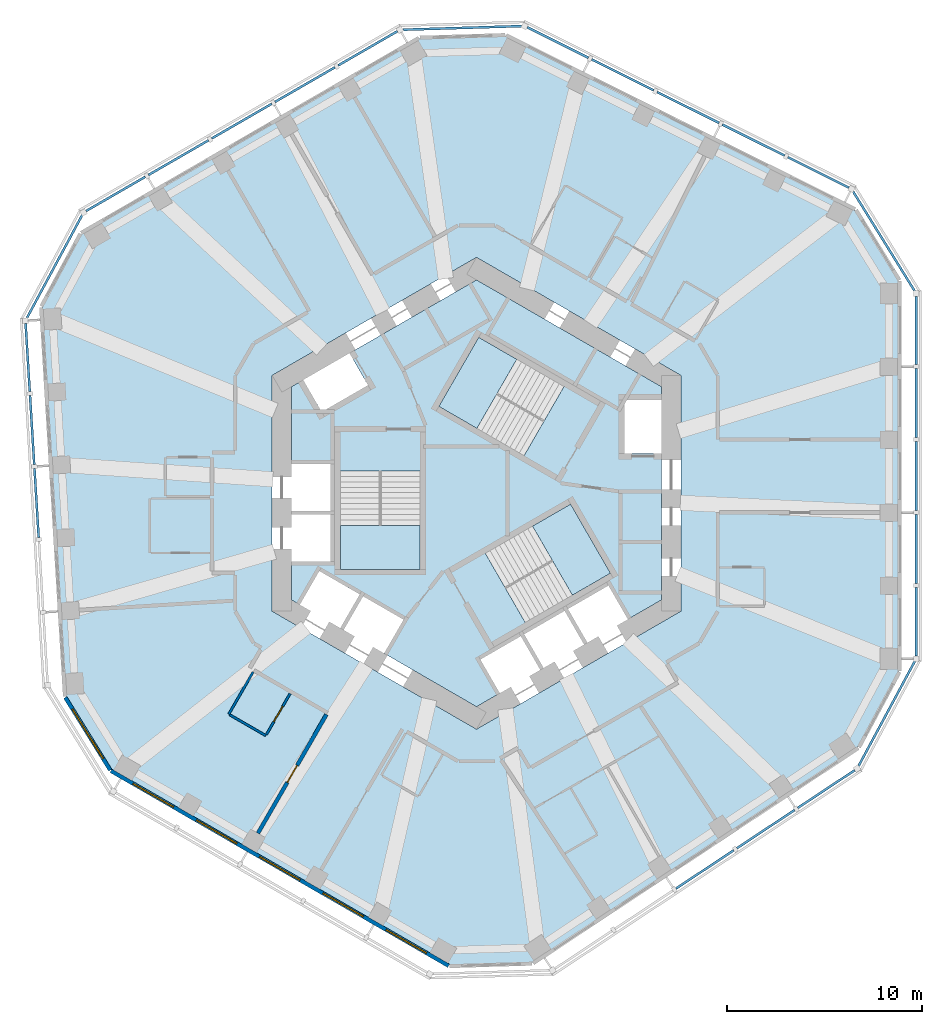
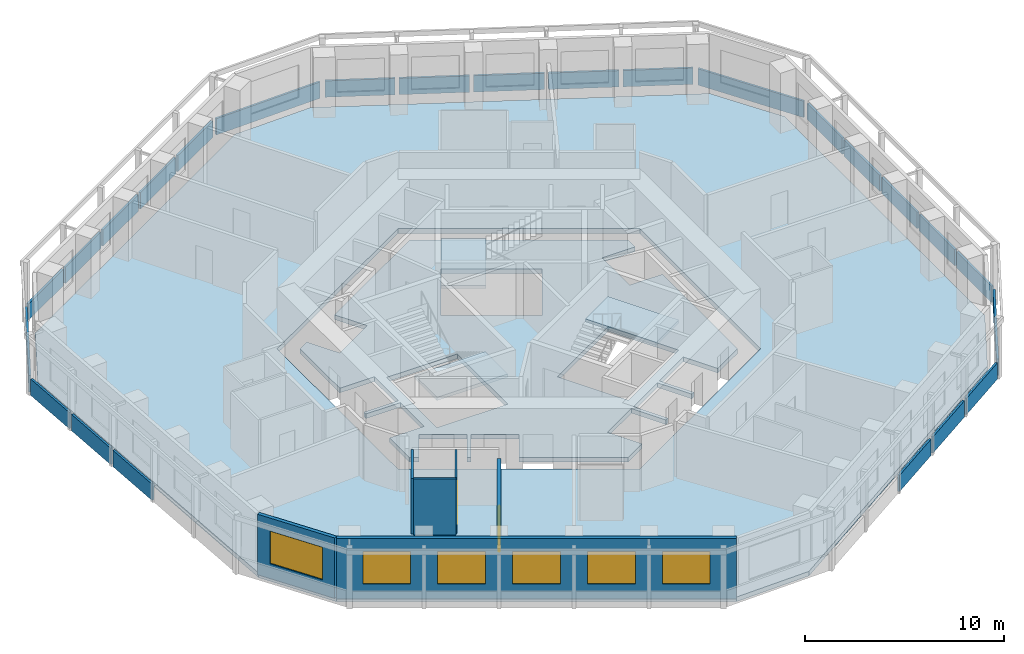
# One storey, part 3 of 11: 25 plates, 6 walls, 6 windows, 5 slabs, 2 doors, 8 openings, 12 elements without a shape of their own.
"""IFC4 building model written with IfcOpenShell, lengths in metres."""

from ifc_helpers import new_model, si_unit, direction, frame, frame_2d, origin, origin_2d, place, context, subcontext, project, spatial, polyline, rectangle, outline, extrude, material, layer, layer_set, type_object, element, fill, aggregate, save


model = new_model("IFC4")

# Units and contexts
model_context = context("Model", 3, precision=1e-05, world=origin(), true_north=direction((0.0, 1.0)))
body_context = subcontext(model_context, "Body", "Model", "MODEL_VIEW")
ifc_project = project(units=[si_unit("LENGTHUNIT", "METRE"), si_unit("AREAUNIT", "SQUARE_METRE"), si_unit("VOLUMEUNIT", "CUBIC_METRE"), si_unit("PLANEANGLEUNIT", "RADIAN"), si_unit("MASSUNIT", "GRAM", prefix="KILO")], contexts=[model_context])

# Site, building, storey
site_placement = place(None, origin())
site = spatial("IfcSite", under=ifc_project, at=site_placement, CompositionType="ELEMENT")
building_placement = place(site_placement, origin())
building = spatial("IfcBuilding", under=site, at=building_placement, Name="Vanh Sen Convention Tower", CompositionType="ELEMENT")
storey_placement = place(building_placement, frame((0.0, 0.0, 198.39990234375)))
storey = spatial("IfcBuildingStorey", under=building, at=storey_placement, Name="L49", CompositionType="ELEMENT", Elevation=198.39990234375)

# Slabs
ifc_material_1 = material(Name="Concrete C40/50", Category="concrete")
ifc_layer_1 = layer(ifc_material_1, 0.280029296875)
ifc_layer_set_1 = layer_set([ifc_layer_1], Name="Concrete C40/50")
slab_type_1 = type_object("IfcSlabType", Name="Core slab 280", PredefinedType="FLOOR", material=ifc_layer_set_1)
slab_1_placement = place(storey_placement, frame((0.0, 0.0, -0.27978515625)))
element("IfcSlab", 1, at=slab_1_placement, inside=storey, type_object=slab_type_1, Name="Core slab L49", PredefinedType="FLOOR", context=body_context, shape_type="SweptSolid", body=[
    extrude(outline(polyline([(0.0, 10.9697265625), (9.5, 5.48486328125), (9.5, 4.800048828125), (7.60009765625, 4.800048828125), (7.60009765625, 2.050048828125), (9.5, 2.050048828125), (9.5, -5.48486328125), (7.781005859375, -6.477294921875), (6.781005859375, -4.7451171875), (4.70263671875, -5.9453125), (5.70263671875, -7.67724609375), (5.529296875, -7.777099609375), (4.529296875, -6.045166015625), (2.450927734375, -7.2451171875), (3.450927734375, -8.977294921875), (3.27783203125, -9.0771484375), (2.27783203125, -7.34521484375), (0.19921875, -8.545166015625), (1.19921875, -10.277099609375), (0.0, -10.9697265625), (-4.75, -8.227294921875), (-3.75, -6.4951171875), (-5.82861328125, -5.295166015625), (-6.82861328125, -7.027099609375), (-7.001708984375, -6.92724609375), (-6.001708984375, -5.1953125), (-8.080078125, -3.9951171875), (-9.080078125, -5.727294921875), (-9.5, -5.48486328125), (-9.5, -3.5), (-7.5, -3.5), (-7.5, -1.10009765625), (-9.5, -1.10009765625), (-9.5, -0.89990234375), (-7.5, -0.89990234375), (-7.5, 1.5), (-9.5, 1.5), (-9.5, 5.48486328125), (-8.906982421875, 5.8271484375), (-7.956787109375, 4.181884765625), (-5.575439453125, 5.556884765625), (-6.525390625, 7.2021484375), (0.0, 10.9697265625)]), holes=[polyline([(-7.0, 1.1494140625), (-7.0, -3.909912109375), (-2.89990234375, -3.909912109375), (-2.89990234375, 1.1494140625), (-7.0, 1.1494140625)]), polyline([(2.504638671875, -6.63671875), (6.88623046875, -4.107177734375), (4.836181640625, -0.556396484375), (0.45458984375, -3.086181640625), (2.504638671875, -6.63671875)]), polyline([(0.11376953125, 8.01708984375), (-1.936279296875, 4.466552734375), (2.4453125, 1.936767578125), (4.495361328125, 5.487548828125), (0.11376953125, 8.01708984375)])]), origin(), (0.0, 0.0, 1.0), 0.27978515625),
])
ifc_layer_2 = layer(ifc_material_1, 0.280029296875)
ifc_layer_set_2 = layer_set([ifc_layer_2], Name="Concrete C40/50")
slab_type_2 = type_object("IfcSlabType", Name="Floor slab 280 REI 120", PredefinedType="FLOOR", material=ifc_layer_set_2)
slab_2_placement = place(storey_placement, frame((0.0, 0.0, -0.27978515625)))
element("IfcSlab", 2, at=slab_2_placement, inside=storey, type_object=slab_type_2, Name="Floor slab L49 tower", PredefinedType="FLOOR", context=body_context, shape_type="SweptSolid", body=[
    extrude(outline(polyline([(21.699951171875, -9.15087890625), (21.699951171875, 10.91943359375), (19.454833984375, 14.5478515625), (1.492919921875, 23.503173828125), (-2.925048828125, 23.368408203125), (-20.306640625, 13.3330078125), (-22.326171875, 9.574462890625), (-21.100830078125, -10.458740234375), (-18.77490234375, -14.21728515625), (-1.393310546875, -24.25244140625), (2.871337890625, -24.122314453125), (19.60791015625, -13.04443359375), (21.699951171875, -9.15087890625)]), holes=[polyline([(0.0, 12.12451171875), (-10.5, 6.062255859375), (-10.5, -6.062255859375), (0.0, -12.12451171875), (10.5, -6.062255859375), (10.5, 6.062255859375), (0.0, 12.12451171875)])]), origin(), (0.0, 0.0, 1.0), 0.27978515625),
])

# Curtain wall, plates
ifc_material_2 = material(Name="Concrete C50/60", Category="concrete")
curtain_wall_type = type_object("IfcCurtainWallType", Name="Outer skin office zone", PredefinedType="NOTDEFINED", material=ifc_material_2)
curtain_wall_1_placement = place(storey_placement, origin())
curtain_wall_1 = element("IfcCurtainWall", 3, at=curtain_wall_1_placement, inside=storey, type_object=curtain_wall_type, Name="OUTER SKIN E L49", PredefinedType="NOTDEFINED")
ifc_layer_3 = layer(ifc_material_2, 0.1201171875)
ifc_layer_set_3 = layer_set([ifc_layer_3], Name="Concrete C50/60")
plate_type = type_object("IfcPlateType", Name="Outer skin precast screen panel 120", PredefinedType="CURTAIN_PANEL", material=ifc_layer_set_3)
plate_1_placement = place(storey_placement, frame((22.60009765625, -6.59912109375, 0.0), z_axis=(0.0, 0.0, 1.0), x_axis=(0.0, 1.0, 0.0)))
plate_1 = element("IfcPlate", 4, at=plate_1_placement, type_object=plate_type, Name="OUTER SKIN screen panel E-1", PredefinedType="CURTAIN_PANEL", context=body_context, shape_type="SweptSolid", body=[
    extrude(rectangle(XDim=3.504150390625, YDim=0.1201171875, at=origin_2d()), origin(), (0.0, 0.0, 1.0), 1.0),
])
plate_2_placement = place(storey_placement, frame((22.60009765625, -2.869873046875, 0.0), z_axis=(0.0, 0.0, 1.0), x_axis=(0.0, 1.0, 0.0)))
plate_2 = element("IfcPlate", 5, at=plate_2_placement, type_object=plate_type, Name="OUTER SKIN screen panel E-2", PredefinedType="CURTAIN_PANEL", context=body_context, shape_type="SweptSolid", body=[
    extrude(rectangle(XDim=3.55419921875, YDim=0.1201171875, at=origin_2d()), origin(), (0.0, 0.0, 1.0), 1.0),
])
plate_3_placement = place(storey_placement, frame((22.60009765625, 0.88427734375, 0.0), z_axis=(0.0, 0.0, 1.0), x_axis=(0.0, 1.0, 0.0)))
plate_3 = element("IfcPlate", 6, at=plate_3_placement, type_object=plate_type, Name="OUTER SKIN screen panel E-3", PredefinedType="CURTAIN_PANEL", context=body_context, shape_type="SweptSolid", body=[
    extrude(rectangle(XDim=3.55419921875, YDim=0.1201171875, at=origin_2d()), origin(), (0.0, 0.0, 1.0), 1.0),
])
plate_4_placement = place(storey_placement, frame((22.60009765625, 4.63818359375, 0.0), z_axis=(0.0, 0.0, 1.0), x_axis=(0.0, 1.0, 0.0)))
plate_4 = element("IfcPlate", 7, at=plate_4_placement, type_object=plate_type, Name="OUTER SKIN screen panel E-4", PredefinedType="CURTAIN_PANEL", context=body_context, shape_type="SweptSolid", body=[
    extrude(rectangle(XDim=3.55419921875, YDim=0.1201171875, at=origin_2d()), origin(), (0.0, 0.0, 1.0), 1.0),
])
plate_5_placement = place(storey_placement, frame((22.60009765625, 8.367431640625, 0.0), z_axis=(0.0, 0.0, 1.0), x_axis=(0.0, 1.0, 0.0)))
plate_5 = element("IfcPlate", 8, at=plate_5_placement, type_object=plate_type, Name="OUTER SKIN screen panel E-5", PredefinedType="CURTAIN_PANEL", context=body_context, shape_type="SweptSolid", body=[
    extrude(rectangle(XDim=3.504150390625, YDim=0.1201171875, at=origin_2d()), origin(), (0.0, 0.0, 1.0), 1.0),
])
aggregate(curtain_wall_1, [plate_1, plate_2, plate_3, plate_4, plate_5])

# Curtain wall, plate
curtain_wall_2_placement = place(storey_placement, origin())
curtain_wall_2 = element("IfcCurtainWall", 9, at=curtain_wall_2_placement, inside=storey, type_object=curtain_wall_type, Name="OUTER SKIN CH1 L49", PredefinedType="NOTDEFINED")
plate_6_placement = place(storey_placement, frame((20.937255859375, 12.956298828125, 0.0), z_axis=(0.0, 0.0, 1.0), x_axis=(-0.5262035346, 0.850358653848, 0.0)))
plate_6 = element("IfcPlate", 10, at=plate_6_placement, type_object=plate_type, Name="OUTER SKIN screen panel CH1-1", PredefinedType="CURTAIN_PANEL", context=body_context, shape_type="SweptSolid", body=[
    extrude(rectangle(XDim=6.01953125, YDim=0.1201171875, at=origin_2d()), origin(), (0.0, 0.0, 1.0), 1.0),
])
aggregate(curtain_wall_2, [plate_6])

# Curtain wall, plates
curtain_wall_3_placement = place(storey_placement, origin())
curtain_wall_3 = element("IfcCurtainWall", 11, at=curtain_wall_3_placement, inside=storey, type_object=curtain_wall_type, Name="OUTER SKIN NE L49", PredefinedType="NOTDEFINED")
plate_7_placement = place(storey_placement, frame((17.572509765625, 16.491943359375, 0.0), z_axis=(0.0, 0.0, 1.0), x_axis=(-0.894943706551, 0.446179069551, 0.0)))
plate_7 = element("IfcPlate", 12, at=plate_7_placement, type_object=plate_type, Name="OUTER SKIN screen panel NE-1", PredefinedType="CURTAIN_PANEL", context=body_context, shape_type="SweptSolid", body=[
    extrude(rectangle(XDim=3.504150390625, YDim=0.1201171875, at=origin_2d()), origin(), (0.0, 0.0, 1.0), 1.0),
])
plate_8_placement = place(storey_placement, frame((14.235107421875, 18.156005859375, 0.0), z_axis=(0.0, 0.0, 1.0), x_axis=(-0.894932804072, 0.446200937017, 0.0)))
plate_8 = element("IfcPlate", 13, at=plate_8_placement, type_object=plate_type, Name="OUTER SKIN screen panel NE-2", PredefinedType="CURTAIN_PANEL", context=body_context, shape_type="SweptSolid", body=[
    extrude(rectangle(XDim=3.55419921875, YDim=0.1201171875, at=origin_2d()), origin(), (0.0, 0.0, 1.0), 1.0),
])
plate_9_placement = place(storey_placement, frame((10.87548828125, 19.8310546875, 0.0), z_axis=(0.0, 0.0, 1.0), x_axis=(-0.894932804072, 0.446200937017, 0.0)))
plate_9 = element("IfcPlate", 14, at=plate_9_placement, type_object=plate_type, Name="OUTER SKIN screen panel NE-3", PredefinedType="CURTAIN_PANEL", context=body_context, shape_type="SweptSolid", body=[
    extrude(rectangle(XDim=3.55419921875, YDim=0.1201171875, at=origin_2d()), origin(), (0.0, 0.0, 1.0), 1.0),
])
plate_10_placement = place(storey_placement, frame((7.515625, 21.506103515625, 0.0), z_axis=(0.0, 0.0, 1.0), x_axis=(-0.894932804072, 0.446200937017, 0.0)))
plate_10 = element("IfcPlate", 15, at=plate_10_placement, type_object=plate_type, Name="OUTER SKIN screen panel NE-4", PredefinedType="CURTAIN_PANEL", context=body_context, shape_type="SweptSolid", body=[
    extrude(rectangle(XDim=3.55419921875, YDim=0.1201171875, at=origin_2d()), origin(), (0.0, 0.0, 1.0), 1.0),
])
plate_11_placement = place(storey_placement, frame((4.178466796875, 23.169921875, 0.0), z_axis=(0.0, 0.0, 1.0), x_axis=(-0.894943706551, 0.446179069551, 0.0)))
plate_11 = element("IfcPlate", 16, at=plate_11_placement, type_object=plate_type, Name="OUTER SKIN screen panel NE-5", PredefinedType="CURTAIN_PANEL", context=body_context, shape_type="SweptSolid", body=[
    extrude(rectangle(XDim=3.504150390625, YDim=0.1201171875, at=origin_2d()), origin(), (0.0, 0.0, 1.0), 1.0),
])
aggregate(curtain_wall_3, [plate_7, plate_8, plate_9, plate_10, plate_11])

# Curtain wall, plate
curtain_wall_4_placement = place(storey_placement, origin())
curtain_wall_4 = element("IfcCurtainWall", 17, at=curtain_wall_4_placement, inside=storey, type_object=curtain_wall_type, Name="OUTER SKIN CH2 L49", PredefinedType="NOTDEFINED")
plate_12_placement = place(storey_placement, frame((-0.73095703125, 23.920654296875, 0.0), z_axis=(0.0, 0.0, 1.0), x_axis=(-0.999533590837, -0.03053851321, 0.0)))
plate_12 = element("IfcPlate", 18, at=plate_12_placement, type_object=plate_type, Name="OUTER SKIN screen panel CH2-1", PredefinedType="CURTAIN_PANEL", context=body_context, shape_type="SweptSolid", body=[
    extrude(rectangle(XDim=6.1171875, YDim=0.1201171875, at=origin_2d()), origin(), (0.0, 0.0, 1.0), 1.0),
])
aggregate(curtain_wall_4, [plate_12])

# Curtain wall, plates
curtain_wall_5_placement = place(storey_placement, origin())
curtain_wall_5 = element("IfcCurtainWall", 19, at=curtain_wall_5_placement, inside=storey, type_object=curtain_wall_type, Name="OUTER SKIN NW L49", PredefinedType="NOTDEFINED")
plate_13_placement = place(storey_placement, frame((-5.585205078125, 22.87158203125, 0.0), z_axis=(0.0, 0.0, 1.0), x_axis=(-0.866035002936, -0.499983373414, 0.0)))
plate_13 = element("IfcPlate", 20, at=plate_13_placement, type_object=plate_type, Name="OUTER SKIN screen panel NW-1", PredefinedType="CURTAIN_PANEL", context=body_context, shape_type="SweptSolid", body=[
    extrude(rectangle(XDim=3.504150390625, YDim=0.1201171875, at=origin_2d()), origin(), (0.0, 0.0, 1.0), 1.0),
])
plate_14_placement = place(storey_placement, frame((-8.814697265625, 21.007080078125, 0.0), z_axis=(0.0, 0.0, 1.0), x_axis=(-0.866016677006, -0.500015114919, 0.0)))
plate_14 = element("IfcPlate", 21, at=plate_14_placement, type_object=plate_type, Name="OUTER SKIN screen panel NW-2", PredefinedType="CURTAIN_PANEL", context=body_context, shape_type="SweptSolid", body=[
    extrude(rectangle(XDim=3.55419921875, YDim=0.1201171875, at=origin_2d()), origin(), (0.0, 0.0, 1.0), 1.0),
])
plate_15_placement = place(storey_placement, frame((-12.06591796875, 19.1298828125, 0.0), z_axis=(0.0, 0.0, 1.0), x_axis=(-0.866035002936, -0.499983373414, 0.0)))
plate_15 = element("IfcPlate", 22, at=plate_15_placement, type_object=plate_type, Name="OUTER SKIN screen panel NW-3", PredefinedType="CURTAIN_PANEL", context=body_context, shape_type="SweptSolid", body=[
    extrude(rectangle(XDim=3.55419921875, YDim=0.1201171875, at=origin_2d()), origin(), (0.0, 0.0, 1.0), 1.0),
])
plate_16_placement = place(storey_placement, frame((-15.31689453125, 17.2529296875, 0.0), z_axis=(0.0, 0.0, 1.0), x_axis=(-0.866016677006, -0.500015114919, 0.0)))
plate_16 = element("IfcPlate", 23, at=plate_16_placement, type_object=plate_type, Name="OUTER SKIN screen panel NW-4", PredefinedType="CURTAIN_PANEL", context=body_context, shape_type="SweptSolid", body=[
    extrude(rectangle(XDim=3.55419921875, YDim=0.1201171875, at=origin_2d()), origin(), (0.0, 0.0, 1.0), 1.0),
])
plate_17_placement = place(storey_placement, frame((-18.54638671875, 15.388427734375, 0.0), z_axis=(0.0, 0.0, 1.0), x_axis=(-0.866035002936, -0.499983373414, 0.0)))
plate_17 = element("IfcPlate", 24, at=plate_17_placement, type_object=plate_type, Name="OUTER SKIN screen panel NW-5", PredefinedType="CURTAIN_PANEL", context=body_context, shape_type="SweptSolid", body=[
    extrude(rectangle(XDim=3.504150390625, YDim=0.1201171875, at=origin_2d()), origin(), (0.0, 0.0, 1.0), 1.0),
])
aggregate(curtain_wall_5, [plate_13, plate_14, plate_15, plate_16, plate_17])

# Curtain wall, plate
curtain_wall_6_placement = place(storey_placement, origin())
curtain_wall_6 = element("IfcCurtainWall", 25, at=curtain_wall_6_placement, inside=storey, type_object=curtain_wall_type, Name="OUTER SKIN CH3 L49", PredefinedType="NOTDEFINED")
plate_18_placement = place(storey_placement, frame((-21.689208984375, 11.654052734375, 0.0), z_axis=(0.0, 0.0, 1.0), x_axis=(-0.47331812974, -0.880891564303, 0.0)))
plate_18 = element("IfcPlate", 26, at=plate_18_placement, type_object=plate_type, Name="OUTER SKIN screen panel CH3-1", PredefinedType="CURTAIN_PANEL", context=body_context, shape_type="SweptSolid", body=[
    extrude(rectangle(XDim=6.019287109375, YDim=0.1201171875, at=origin_2d()), origin(), (0.0, 0.0, 1.0), 1.0),
])
aggregate(curtain_wall_6, [plate_18])

# Curtain wall, plates
curtain_wall_7_placement = place(storey_placement, origin())
curtain_wall_7 = element("IfcCurtainWall", 27, at=curtain_wall_7_placement, inside=storey, type_object=curtain_wall_type, Name="OUTER SKIN W L49", PredefinedType="NOTDEFINED")
plate_19_placement = place(storey_placement, frame((-23.068603515625, 6.97216796875, 0.0), z_axis=(0.0, 0.0, 1.0), x_axis=(0.061053765756, -0.998134478759, 0.0)))
plate_19 = element("IfcPlate", 28, at=plate_19_placement, type_object=plate_type, Name="OUTER SKIN screen panel W-1", PredefinedType="CURTAIN_PANEL", context=body_context, shape_type="SweptSolid", body=[
    extrude(rectangle(XDim=3.504150390625, YDim=0.1201171875, at=origin_2d()), origin(), (0.0, 0.0, 1.0), 1.0),
])
plate_20_placement = place(storey_placement, frame((-22.841064453125, 3.25, 0.0), z_axis=(0.0, 0.0, 1.0), x_axis=(0.061052023682, -0.998134585316, 0.0)))
plate_20 = element("IfcPlate", 29, at=plate_20_placement, type_object=plate_type, Name="OUTER SKIN screen panel W-2", PredefinedType="CURTAIN_PANEL", context=body_context, shape_type="SweptSolid", body=[
    extrude(rectangle(XDim=3.55419921875, YDim=0.1201171875, at=origin_2d()), origin(), (0.0, 0.0, 1.0), 1.0),
])
plate_21_placement = place(storey_placement, frame((-22.61181640625, -0.4970703125, 0.0), z_axis=(0.0, 0.0, 1.0), x_axis=(0.061053765756, -0.998134478759, 0.0)))
plate_21 = element("IfcPlate", 30, at=plate_21_placement, type_object=plate_type, Name="OUTER SKIN screen panel W-3", PredefinedType="CURTAIN_PANEL", context=body_context, shape_type="SweptSolid", body=[
    extrude(rectangle(XDim=3.55419921875, YDim=0.1201171875, at=origin_2d()), origin(), (0.0, 0.0, 1.0), 1.0),
])
aggregate(curtain_wall_7, [plate_19, plate_20, plate_21])

curtain_wall_8_placement = place(storey_placement, origin())
curtain_wall_8 = element("IfcCurtainWall", 31, at=curtain_wall_8_placement, inside=storey, type_object=curtain_wall_type, Name="OUTER SKIN SE L49", PredefinedType="NOTDEFINED")
plate_22_placement = place(storey_placement, frame((11.736328125, -19.333984375, 0.0), z_axis=(0.0, 0.0, 1.0), x_axis=(0.833877152158, 0.551950083892, 0.0)))
plate_22 = element("IfcPlate", 32, at=plate_22_placement, type_object=plate_type, Name="OUTER SKIN screen panel SE-3", PredefinedType="CURTAIN_PANEL", context=body_context, shape_type="SweptSolid", body=[
    extrude(rectangle(XDim=3.55419921875, YDim=0.1201171875, at=origin_2d()), origin(), (0.0, 0.0, 1.0), 1.0),
])
plate_23_placement = place(storey_placement, frame((14.866943359375, -17.26171875, 0.0), z_axis=(0.0, 0.0, 1.0), x_axis=(0.833889675294, 0.551931163677, 0.0)))
plate_23 = element("IfcPlate", 33, at=plate_23_placement, type_object=plate_type, Name="OUTER SKIN screen panel SE-4", PredefinedType="CURTAIN_PANEL", context=body_context, shape_type="SweptSolid", body=[
    extrude(rectangle(XDim=3.55419921875, YDim=0.1201171875, at=origin_2d()), origin(), (0.0, 0.0, 1.0), 1.0),
])
plate_24_placement = place(storey_placement, frame((17.9765625, -15.20361328125, 0.0), z_axis=(0.0, 0.0, 1.0), x_axis=(0.833889675294, 0.551931163677, 0.0)))
plate_24 = element("IfcPlate", 34, at=plate_24_placement, type_object=plate_type, Name="OUTER SKIN screen panel SE-5", PredefinedType="CURTAIN_PANEL", context=body_context, shape_type="SweptSolid", body=[
    extrude(rectangle(XDim=3.504150390625, YDim=0.1201171875, at=origin_2d()), origin(), (0.0, 0.0, 1.0), 1.0),
])
aggregate(curtain_wall_8, [plate_22, plate_23, plate_24])

# Curtain wall, plate
curtain_wall_9_placement = place(storey_placement, origin())
curtain_wall_9 = element("IfcCurtainWall", 35, at=curtain_wall_9_placement, inside=storey, type_object=curtain_wall_type, Name="OUTER SKIN CH6 L49", PredefinedType="NOTDEFINED")
plate_25_placement = place(storey_placement, frame((21.081298828125, -11.327392578125, 0.0), z_axis=(0.0, 0.0, 1.0), x_axis=(0.473321204628, 0.880889912105, 0.0)))
plate_25 = element("IfcPlate", 36, at=plate_25_placement, type_object=plate_type, Name="OUTER SKIN screen panel CH6-1", PredefinedType="CURTAIN_PANEL", context=body_context, shape_type="SweptSolid", body=[
    extrude(rectangle(XDim=6.1171875, YDim=0.1201171875, at=origin_2d()), origin(), (0.0, 0.0, 1.0), 1.0),
])
aggregate(curtain_wall_9, [plate_25])

# Stair, slab
ifc_material_3 = material(Name="Concrete C50/60", Category="concrete")
stair_type_1 = type_object("IfcStairType", Name="Exit stair ST1 22 risers at 168.2", PredefinedType="HALF_TURN_STAIR", material=ifc_material_3)
stair_1_placement = place(storey_placement, origin())
stair_1 = element("IfcStair", 37, at=stair_1_placement, inside=storey, type_object=stair_type_1, Name="Exit stair ST1 L49", PredefinedType="HALF_TURN_STAIR")
ifc_layer_4 = layer(ifc_material_1, 0.199951171875)
ifc_layer_set_4 = layer_set([ifc_layer_4], Name="Concrete C40/50")
slab_type_3 = type_object("IfcSlabType", Name="Stair landing 200", PredefinedType="LANDING", material=ifc_layer_set_4)
slab_3_placement = place(storey_placement, frame((0.0, 0.0, 1.650146484375)))
slab_3 = element("IfcSlab", 38, at=slab_3_placement, type_object=slab_type_3, Name="ST1 landing 1", PredefinedType="LANDING", context=body_context, shape_type="SweptSolid", body=[
    extrude(outline(polyline([(2.07177734375, 6.88671875), (0.11376953125, 8.01708984375), (-1.936279296875, 4.466552734375), (0.021728515625, 3.336181640625), (2.07177734375, 6.88671875)])), origin(), (0.0, 0.0, 1.0), 0.199951171875),
])
aggregate(stair_1, [slab_3])

stair_type_2 = type_object("IfcStairType", Name="Exit stair ST2 22 risers at 168.2", PredefinedType="HALF_TURN_STAIR", material=ifc_material_3)
stair_2_placement = place(storey_placement, origin())
stair_2 = element("IfcStair", 39, at=stair_2_placement, inside=storey, type_object=stair_type_2, Name="Exit stair ST2 L49", PredefinedType="HALF_TURN_STAIR")
slab_4_placement = place(storey_placement, frame((0.0, 0.0, 1.650146484375)))
slab_4 = element("IfcSlab", 40, at=slab_4_placement, type_object=slab_type_3, Name="ST2 landing 1", PredefinedType="LANDING", context=body_context, shape_type="SweptSolid", body=[
    extrude(outline(polyline([(-7.0, -1.6494140625), (-7.0, -3.909912109375), (-2.89990234375, -3.909912109375), (-2.89990234375, -1.6494140625), (-7.0, -1.6494140625)])), origin(), (0.0, 0.0, 1.0), 0.199951171875),
])
aggregate(stair_2, [slab_4])

stair_type_3 = type_object("IfcStairType", Name="Exit stair ST3 22 risers at 168.2", PredefinedType="HALF_TURN_STAIR", material=ifc_material_3)
stair_3_placement = place(storey_placement, origin())
stair_3 = element("IfcStair", 41, at=stair_3_placement, inside=storey, type_object=stair_type_3, Name="Exit stair ST3 L49", PredefinedType="HALF_TURN_STAIR")
slab_5_placement = place(storey_placement, frame((0.0, 0.0, 1.650146484375)))
slab_5 = element("IfcSlab", 42, at=slab_5_placement, type_object=slab_type_3, Name="ST3 landing 1", PredefinedType="LANDING", context=body_context, shape_type="SweptSolid", body=[
    extrude(outline(polyline([(4.92822265625, -5.237548828125), (6.88623046875, -4.107177734375), (4.836181640625, -0.556396484375), (2.87841796875, -1.686767578125), (4.92822265625, -5.237548828125)])), origin(), (0.0, 0.0, 1.0), 0.199951171875),
])
aggregate(stair_3, [slab_5])

# Walls
ifc_material_4 = material(Name="Moisture-resistant gypsum board on steel studs", Category="steel")
ifc_layer_5 = layer(ifc_material_4, 0.1201171875)
ifc_layer_set_5 = layer_set([ifc_layer_5], Name="Moisture-resistant gypsum board on steel studs")
wall_type_1 = type_object("IfcWallType", Name="Bathroom partition 120", PredefinedType="PARTITIONING", material=ifc_layer_set_5)
wall_1_placement = place(storey_placement, frame((-12.734619140625, -11.35498046875, 0.0), z_axis=(0.0, 0.0, 1.0), x_axis=(0.500004234368, 0.866022959057, 0.0)))
element("IfcWall", 43, at=wall_1_placement, inside=storey, type_object=wall_type_1, Name="Bathroom partition 120", PredefinedType="PARTITIONING", context=body_context, shape_type="SweptSolid", body=[
    extrude(rectangle(XDim=2.5, YDim=0.1201171875, at=frame_2d((1.25, 0.0))), origin(), (0.0, 0.0, 1.0), 3.420166015625),
])
wall_2_placement = place(storey_placement, frame((-10.829345703125, -12.455078125, 0.0), z_axis=(0.0, 0.0, 1.0), x_axis=(-0.86600889856, 0.500028586798, 0.0)))
element("IfcWall", 44, at=wall_2_placement, inside=storey, type_object=wall_type_1, Name="Bathroom partition 120", PredefinedType="PARTITIONING", context=body_context, shape_type="SweptSolid", body=[
    extrude(rectangle(XDim=2.139892578125, YDim=0.1201171875, at=frame_2d((1.06982421875, 0.0))), origin(), (0.0, 0.0, 1.0), 3.420166015625),
])

# Wall, opening, door
wall_3_placement = place(storey_placement, frame((-9.579345703125, -10.289794921875, 0.0), z_axis=(0.0, 0.0, 1.0), x_axis=(-0.499959183527, -0.866048967903, 0.0)))
wall_3 = element("IfcWall", 45, at=wall_3_placement, inside=storey, type_object=wall_type_1, Name="Bathroom partition 120", PredefinedType="PARTITIONING", context=body_context, shape_type="SweptSolid", body=[
    extrude(rectangle(XDim=2.440185546875, YDim=0.1201171875, at=frame_2d((1.22021484375, 0.0))), origin(), (0.0, 0.0, 1.0), 3.420166015625),
])
opening_1_placement = place(wall_3_placement, frame((0.77001953125, 0.0, 0.0)))
opening_1 = element("IfcOpeningElement", 46, at=opening_1_placement, cuts=wall_3, Name="Opening D49111", PredefinedType="OPENING", context=body_context, shape_type="SweptSolid", body=[
    extrude(rectangle(XDim=0.89990234375, YDim=2.10009765625, at=frame_2d((0.449951171875, 1.050048828125))), frame((0.0, 0.070068359375, 0.0), z_axis=(0.0, -1.0, 0.0), x_axis=(1.0, 0.0, 0.0)), (0.0, 0.0, 1.0), 0.14013671875),
])
ifc_material_5 = material(Name="Laminate door in steel frame", Category="steel")
door_type_1 = type_object("IfcDoorType", Name="Room internal door 900", OperationType="SINGLE_SWING_LEFT", PredefinedType="DOOR", material=ifc_material_5)
door_1_placement = place(opening_1_placement, origin())
door_1 = element("IfcDoor", 47, at=door_1_placement, inside=storey, type_object=door_type_1, Name="Internal room door D49111", OperationType="SINGLE_SWING_LEFT", OverallHeight=2.10009765625, OverallWidth=0.89990234375, PredefinedType="DOOR", context=body_context, shape_type="SweptSolid", body=[
    extrude(rectangle(XDim=0.89990234375, YDim=2.10009765625, at=frame_2d((0.449951171875, 1.050048828125))), frame((0.0, 0.02490234375, 0.0), z_axis=(0.0, -1.0, 0.0), x_axis=(1.0, 0.0, 0.0)), (0.0, 0.0, 1.0), 0.050048828125),
])
fill(opening_1, door_1)

ifc_material_6 = material(Name="Gypsum board on steel studs with mineral wool", Category="steel")
ifc_layer_6 = layer(ifc_material_6, 0.199951171875)
ifc_layer_set_6 = layer_set([ifc_layer_6], Name="Gypsum board on steel studs with mineral wool")
wall_type_2 = type_object("IfcWallType", Name="Corridor partition wall 200", PredefinedType="PARTITIONING", material=ifc_layer_set_6)
wall_4_placement = place(storey_placement, frame((-11.23486328125, -17.4736328125, 0.0), z_axis=(0.0, 0.0, 1.0), x_axis=(0.500009260695, 0.866020057054, 0.0)))
wall_4 = element("IfcWall", 48, at=wall_4_placement, inside=storey, type_object=wall_type_2, Name="Corridor partition wall 200", PredefinedType="PARTITIONING", context=body_context, shape_type="SweptSolid", body=[
    extrude(rectangle(XDim=7.049072265625, YDim=0.199951171875, at=frame_2d((3.5244140625, 0.0))), origin(), (0.0, 0.0, 1.0), 2.8701171875),
])
opening_2_placement = place(wall_4_placement, frame((3.0244140625, 0.0, 0.0)))
opening_2 = element("IfcOpeningElement", 49, at=opening_2_placement, cuts=wall_4, Name="Opening D49110", PredefinedType="OPENING", context=body_context, shape_type="SweptSolid", body=[
    extrude(rectangle(XDim=1.0, YDim=2.10009765625, at=frame_2d((0.5, 1.050048828125))), frame((0.0, 0.10986328125, 0.0), z_axis=(0.0, -1.0, 0.0), x_axis=(1.0, 0.0, 0.0)), (0.0, 0.0, 1.0), 0.219970703125),
])
ifc_material_7 = material(Name="Glazed fire door in steel frame", Category="steel")
door_type_2 = type_object("IfcDoorType", Name="Tenant entrance door 1000", OperationType="SINGLE_SWING_LEFT", PredefinedType="DOOR", material=ifc_material_7)
door_2_placement = place(opening_2_placement, origin())
door_2 = element("IfcDoor", 50, at=door_2_placement, inside=storey, type_object=door_type_2, Name="Tenant suite entrance door D49110", OperationType="SINGLE_SWING_LEFT", OverallHeight=2.10009765625, OverallWidth=1.0, PredefinedType="DOOR", context=body_context, shape_type="SweptSolid", body=[
    extrude(rectangle(XDim=1.0, YDim=2.10009765625, at=frame_2d((0.5, 1.050048828125))), frame((0.0, 0.02490234375, 0.0), z_axis=(0.0, -1.0, 0.0), x_axis=(1.0, 0.0, 0.0)), (0.0, 0.0, 1.0), 0.050048828125),
])
fill(opening_2, door_2)

# Wall, opening, window
ifc_material_8 = material(Name="Insulated lightweight infill wall")
ifc_layer_7 = layer(ifc_material_8, 0.199951171875)
ifc_layer_set_7 = layer_set([ifc_layer_7], Name="Insulated lightweight infill wall")
wall_type_3 = type_object("IfcWallType", Name="External wall 200", PredefinedType="STANDARD", material=ifc_layer_set_7)
wall_5_placement = place(storey_placement, frame((-21.13671875, -10.49560546875, 0.0), z_axis=(0.0, 0.0, 1.0), x_axis=(0.526178661629, -0.850374044786, 0.0)))
wall_5 = element("IfcWall", 51, at=wall_5_placement, inside=storey, type_object=wall_type_3, Name="External wall CH4 L49", PredefinedType="STANDARD", context=body_context, shape_type="SweptSolid", body=[
    extrude(rectangle(XDim=4.394775390625, YDim=0.199951171875, at=frame_2d((2.197265625, 0.0))), origin(), (0.0, 0.0, 1.0), 3.7001953125),
])
opening_3_placement = place(wall_5_placement, frame((0.697509765625, 0.0, 0.89990234375)))
opening_3 = element("IfcOpeningElement", 52, at=opening_3_placement, cuts=wall_5, Name="Opening WO2-CH41", PredefinedType="OPENING", context=body_context, shape_type="SweptSolid", body=[
    extrude(rectangle(XDim=3.0, YDim=2.0, at=frame_2d((1.5, 1.0))), frame((0.0, 0.10986328125, 0.0), z_axis=(0.0, -1.0, 0.0), x_axis=(1.0, 0.0, 0.0)), (0.0, 0.0, 1.0), 0.219970703125),
])
ifc_material_9 = material(Name="Aluminium frame with clear low-emissivity glass", Category="aluminium")
window_type_1 = type_object("IfcWindowType", Name="Office window 3000 x 2000", PartitioningType="SINGLE_PANEL", PredefinedType="WINDOW", material=ifc_material_9)
window_1_placement = place(opening_3_placement, origin())
window_1 = element("IfcWindow", 53, at=window_1_placement, inside=storey, type_object=window_type_1, Name="Window WO2-CH41", OverallHeight=2.0, OverallWidth=3.0, PartitioningType="SINGLE_PANEL", PredefinedType="WINDOW", context=body_context, shape_type="SweptSolid", body=[
    extrude(rectangle(XDim=3.0, YDim=2.0, at=frame_2d((1.5, 1.0))), frame((0.0, 0.030029296875, 0.0), z_axis=(0.0, -1.0, 0.0), x_axis=(1.0, 0.0, 0.0)), (0.0, 0.0, 1.0), 0.06005859375),
])
fill(opening_3, window_1)

# Wall, openings, windows
wall_6_placement = place(storey_placement, frame((-18.7890625, -14.266845703125, 0.0), z_axis=(0.0, 0.0, 1.0), x_axis=(0.866023315909, -0.500003616288, 0.0)))
wall_6 = element("IfcWall", 54, at=wall_6_placement, inside=storey, type_object=wall_type_3, Name="External wall SW L49", PredefinedType="STANDARD", context=body_context, shape_type="SweptSolid", body=[
    extrude(rectangle(XDim=20.043701171875, YDim=0.199951171875, at=frame_2d((10.02197265625, 0.0))), origin(), (0.0, 0.0, 1.0), 3.7001953125),
])
opening_4_placement = place(wall_6_placement, frame((1.314453125, 0.0, 0.89990234375)))
opening_4 = element("IfcOpeningElement", 55, at=opening_4_placement, cuts=wall_6, Name="Opening WO1-SW1", PredefinedType="OPENING", context=body_context, shape_type="SweptSolid", body=[
    extrude(rectangle(XDim=2.39990234375, YDim=2.0, at=frame_2d((1.199951171875, 1.0))), frame((0.0, 0.10986328125, 0.0), z_axis=(0.0, -1.0, 0.0), x_axis=(1.0, 0.0, 0.0)), (0.0, 0.0, 1.0), 0.219970703125),
])
opening_5_placement = place(wall_6_placement, frame((5.068603515625, 0.0, 0.89990234375)))
opening_5 = element("IfcOpeningElement", 56, at=opening_5_placement, cuts=wall_6, Name="Opening WO1-SW2", PredefinedType="OPENING", context=body_context, shape_type="SweptSolid", body=[
    extrude(rectangle(XDim=2.39990234375, YDim=2.0, at=frame_2d((1.199951171875, 1.0))), frame((0.0, 0.10986328125, 0.0), z_axis=(0.0, -1.0, 0.0), x_axis=(1.0, 0.0, 0.0)), (0.0, 0.0, 1.0), 0.219970703125),
])
opening_6_placement = place(wall_6_placement, frame((8.82275390625, 0.0, 0.89990234375)))
opening_6 = element("IfcOpeningElement", 57, at=opening_6_placement, cuts=wall_6, Name="Opening WO1-SW3", PredefinedType="OPENING", context=body_context, shape_type="SweptSolid", body=[
    extrude(rectangle(XDim=2.39990234375, YDim=2.0, at=frame_2d((1.199951171875, 1.0))), frame((0.0, 0.10986328125, 0.0), z_axis=(0.0, -1.0, 0.0), x_axis=(1.0, 0.0, 0.0)), (0.0, 0.0, 1.0), 0.219970703125),
])
opening_7_placement = place(wall_6_placement, frame((12.576904296875, 0.0, 0.89990234375)))
opening_7 = element("IfcOpeningElement", 58, at=opening_7_placement, cuts=wall_6, Name="Opening WO1-SW4", PredefinedType="OPENING", context=body_context, shape_type="SweptSolid", body=[
    extrude(rectangle(XDim=2.39990234375, YDim=2.0, at=frame_2d((1.199951171875, 1.0))), frame((0.0, 0.10986328125, 0.0), z_axis=(0.0, -1.0, 0.0), x_axis=(1.0, 0.0, 0.0)), (0.0, 0.0, 1.0), 0.219970703125),
])
opening_8_placement = place(wall_6_placement, frame((16.330810546875, 0.0, 0.89990234375)))
opening_8 = element("IfcOpeningElement", 59, at=opening_8_placement, cuts=wall_6, Name="Opening WO1-SW5", PredefinedType="OPENING", context=body_context, shape_type="SweptSolid", body=[
    extrude(rectangle(XDim=2.39990234375, YDim=2.0, at=frame_2d((1.199951171875, 1.0))), frame((0.0, 0.10986328125, 0.0), z_axis=(0.0, -1.0, 0.0), x_axis=(1.0, 0.0, 0.0)), (0.0, 0.0, 1.0), 0.219970703125),
])
window_type_2 = type_object("IfcWindowType", Name="Office window 2400 x 2000", PartitioningType="SINGLE_PANEL", PredefinedType="WINDOW", material=ifc_material_9)
window_2_placement = place(opening_4_placement, origin())
window_2 = element("IfcWindow", 60, at=window_2_placement, inside=storey, type_object=window_type_2, Name="Window WO1-SW1", OverallHeight=2.0, OverallWidth=2.39990234375, PartitioningType="SINGLE_PANEL", PredefinedType="WINDOW", context=body_context, shape_type="SweptSolid", body=[
    extrude(rectangle(XDim=2.39990234375, YDim=2.0, at=frame_2d((1.199951171875, 1.0))), frame((0.0, 0.030029296875, 0.0), z_axis=(0.0, -1.0, 0.0), x_axis=(1.0, 0.0, 0.0)), (0.0, 0.0, 1.0), 0.06005859375),
])
fill(opening_4, window_2)
window_3_placement = place(opening_5_placement, origin())
window_3 = element("IfcWindow", 61, at=window_3_placement, inside=storey, type_object=window_type_2, Name="Window WO1-SW2", OverallHeight=2.0, OverallWidth=2.39990234375, PartitioningType="SINGLE_PANEL", PredefinedType="WINDOW", context=body_context, shape_type="SweptSolid", body=[
    extrude(rectangle(XDim=2.39990234375, YDim=2.0, at=frame_2d((1.199951171875, 1.0))), frame((0.0, 0.030029296875, 0.0), z_axis=(0.0, -1.0, 0.0), x_axis=(1.0, 0.0, 0.0)), (0.0, 0.0, 1.0), 0.06005859375),
])
fill(opening_5, window_3)
window_4_placement = place(opening_6_placement, origin())
window_4 = element("IfcWindow", 62, at=window_4_placement, inside=storey, type_object=window_type_2, Name="Window WO1-SW3", OverallHeight=2.0, OverallWidth=2.39990234375, PartitioningType="SINGLE_PANEL", PredefinedType="WINDOW", context=body_context, shape_type="SweptSolid", body=[
    extrude(rectangle(XDim=2.39990234375, YDim=2.0, at=frame_2d((1.199951171875, 1.0))), frame((0.0, 0.030029296875, 0.0), z_axis=(0.0, -1.0, 0.0), x_axis=(1.0, 0.0, 0.0)), (0.0, 0.0, 1.0), 0.06005859375),
])
fill(opening_6, window_4)
window_5_placement = place(opening_7_placement, origin())
window_5 = element("IfcWindow", 63, at=window_5_placement, inside=storey, type_object=window_type_2, Name="Window WO1-SW4", OverallHeight=2.0, OverallWidth=2.39990234375, PartitioningType="SINGLE_PANEL", PredefinedType="WINDOW", context=body_context, shape_type="SweptSolid", body=[
    extrude(rectangle(XDim=2.39990234375, YDim=2.0, at=frame_2d((1.199951171875, 1.0))), frame((0.0, 0.030029296875, 0.0), z_axis=(0.0, -1.0, 0.0), x_axis=(1.0, 0.0, 0.0)), (0.0, 0.0, 1.0), 0.06005859375),
])
fill(opening_7, window_5)
window_6_placement = place(opening_8_placement, origin())
window_6 = element("IfcWindow", 64, at=window_6_placement, inside=storey, type_object=window_type_2, Name="Window WO1-SW5", OverallHeight=2.0, OverallWidth=2.39990234375, PartitioningType="SINGLE_PANEL", PredefinedType="WINDOW", context=body_context, shape_type="SweptSolid", body=[
    extrude(rectangle(XDim=2.39990234375, YDim=2.0, at=frame_2d((1.199951171875, 1.0))), frame((0.0, 0.030029296875, 0.0), z_axis=(0.0, -1.0, 0.0), x_axis=(1.0, 0.0, 0.0)), (0.0, 0.0, 1.0), 0.06005859375),
])
fill(opening_8, window_6)

save(model, "model.ifc")
